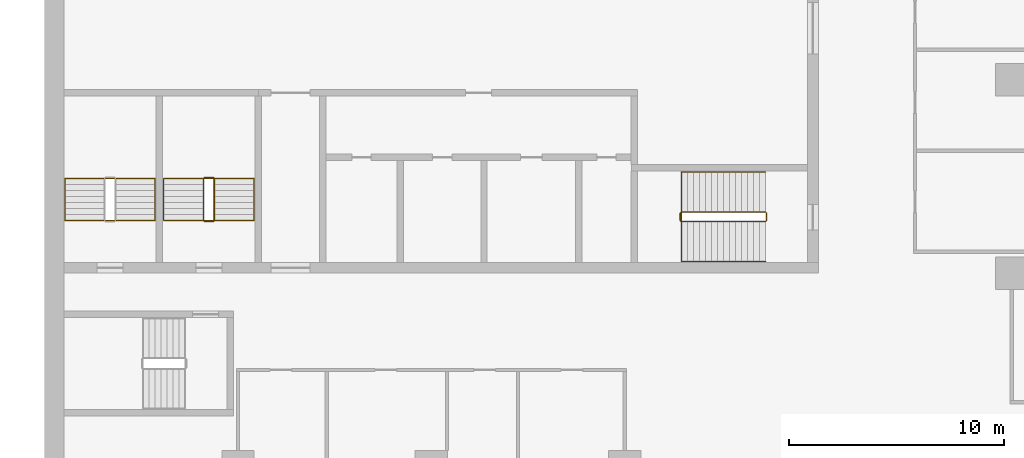
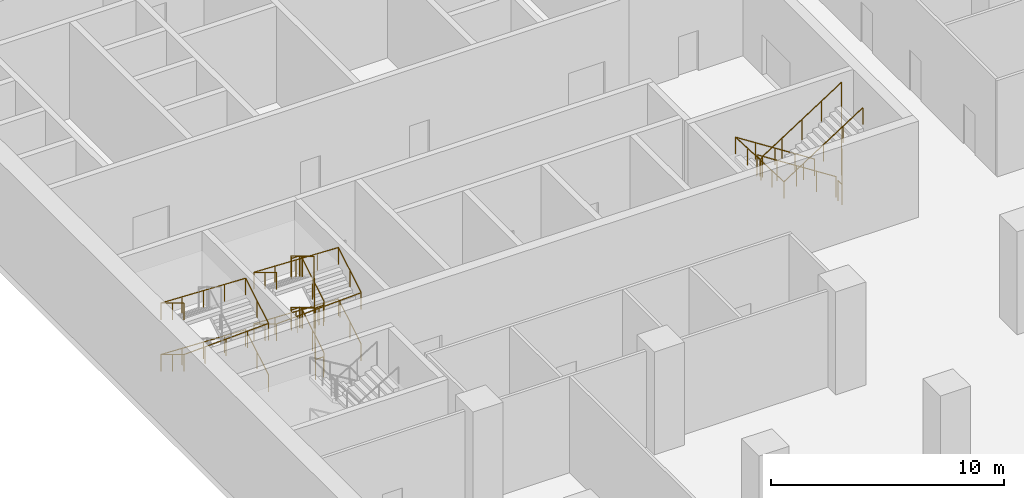
# One storey, part 34 of 44: 5 railings.
"""IFC4 building model written with IfcOpenShell, lengths in metres."""

from ifc_helpers import new_model, si_unit, direction, frame, origin, origin_2d, place, context, subcontext, project, spatial, circle, extrude, material, type_object, element, save


model = new_model("IFC4")

# Units and contexts
model_context = context("Model", 3, precision=1e-05, world=origin(), true_north=direction((0.0, 1.0)))
body_context = subcontext(model_context, "Body", "Model", "MODEL_VIEW")
ifc_project = project(units=[si_unit("LENGTHUNIT", "METRE"), si_unit("AREAUNIT", "SQUARE_METRE"), si_unit("VOLUMEUNIT", "CUBIC_METRE"), si_unit("PLANEANGLEUNIT", "RADIAN"), si_unit("MASSUNIT", "GRAM", prefix="KILO")], contexts=[model_context])

# Site, building, storey
site_placement = place(None, origin())
site = spatial("IfcSite", under=ifc_project, at=site_placement, CompositionType="ELEMENT")
building_placement = place(site_placement, origin())
building = spatial("IfcBuilding", under=site, at=building_placement, Name="Hunhe Ridgeline Campus", CompositionType="ELEMENT")
storey_placement = place(building_placement, frame((0.0, 0.0, 6.0)))
storey = spatial("IfcBuildingStorey", under=building, at=storey_placement, Name="L01", CompositionType="ELEMENT", Elevation=6.0)

# Railings
ifc_material_1 = material(Name="Stainless steel balustrade", Category="steel")
railing_type_1 = type_object("IfcRailingType", Name="Stair guard 1100 stainless", PredefinedType="GUARDRAIL", material=ifc_material_1)
railing_1_placement = place(storey_placement, frame((33.550048828125, 65.85009765625, 0.179931640625)))
element("IfcRailing", 1, at=railing_1_placement, inside=storey, type_object=railing_type_1, Name="L01 stair S2 guard", PredefinedType="GUARDRAIL", context=body_context, shape_type="SweptSolid", body=[
    extrude(circle(Radius=0.02392578125, at=origin_2d()), frame((0.0, 0.0, 1.076171875), z_axis=(-0.841186985886, 0.0, 0.540744352514), x_axis=(0.0, -1.0, 0.0)), (0.0, 0.0, 1.0), 4.660400390625),
    extrude(circle(Radius=0.02392578125, at=origin_2d()), frame((-3.920166015625, 0.0, 3.59619140625), z_axis=(-0.705375805398, -0.708833529934, 0.0), x_axis=(0.708833529934, -0.705375805398, 0.0)), (0.0, 0.0, 1.0), 0.070556640625),
    extrude(circle(Radius=0.02392578125, at=origin_2d()), frame((-3.969970703125, -0.050048828125, 3.59619140625), z_axis=(0.0, -1.0, 0.0), x_axis=(1.0, 0.0, 0.0)), (0.0, 0.0, 1.0), 0.35009765625),
    extrude(circle(Radius=0.02392578125, at=origin_2d()), frame((-3.969970703125, -0.400146484375, 3.59619140625), z_axis=(0.257669022063, -0.258932105505, 0.930892496375), x_axis=(0.708833529934, 0.705375805398, 0.0)), (0.0, 0.0, 1.0), 0.193359375),
    extrude(circle(Radius=0.02392578125, at=origin_2d()), frame((-3.920166015625, -0.4501953125, 3.77587890625), z_axis=(0.841186985886, 0.0, 0.540744352514), x_axis=(0.0, 1.0, 0.0)), (0.0, 0.0, 1.0), 4.660400390625),
    extrude(circle(Radius=0.02392578125, at=origin_2d()), frame((0.0, -0.4501953125, 6.2958984375), z_axis=(0.009267673019, 0.009267673019, -0.999914106548), x_axis=(1.0, 0.0, 0.0)), (0.0, 0.0, 1.0), 5.400390625),
    extrude(circle(Radius=0.02392578125, at=origin_2d()), frame((0.050048828125, -0.400146484375, 0.89599609375), z_axis=(0.0, 1.0, 0.0), x_axis=(-1.0, 0.0, 0.0)), (0.0, 0.0, 1.0), 0.35009765625),
    extrude(circle(Radius=0.02099609375, at=origin_2d()), origin(), (0.0, 0.0, 1.0), 1.052001953125),
    extrude(circle(Radius=0.02099609375, at=origin_2d()), frame((-0.97998046875, 0.0, 0.6298828125)), (0.0, 0.0, 1.0), 1.052001953125),
    extrude(circle(Radius=0.02099609375, at=origin_2d()), frame((-1.9599609375, 0.0, 1.260009765625)), (0.0, 0.0, 1.0), 1.052001953125),
    extrude(circle(Radius=0.02099609375, at=origin_2d()), frame((-2.940185546875, 0.0, 1.89013671875)), (0.0, 0.0, 1.0), 1.052001953125),
    extrude(circle(Radius=0.02099609375, at=origin_2d()), frame((-3.920166015625, 0.0, 2.52001953125)), (0.0, 0.0, 1.0), 1.052001953125),
    extrude(circle(Radius=0.02099609375, at=origin_2d()), frame((-3.969970703125, -0.050048828125, 2.52001953125)), (0.0, 0.0, 1.0), 1.052001953125),
    extrude(circle(Radius=0.02099609375, at=origin_2d()), frame((-3.969970703125, -0.400146484375, 2.52001953125)), (0.0, 0.0, 1.0), 1.052001953125),
    extrude(circle(Radius=0.02099609375, at=origin_2d()), frame((-3.920166015625, -0.4501953125, 2.699951171875)), (0.0, 0.0, 1.0), 1.052001953125),
    extrude(circle(Radius=0.02099609375, at=origin_2d()), frame((-2.940185546875, -0.4501953125, 3.330078125)), (0.0, 0.0, 1.0), 1.052001953125),
    extrude(circle(Radius=0.02099609375, at=origin_2d()), frame((-1.9599609375, -0.4501953125, 3.9599609375)), (0.0, 0.0, 1.0), 1.052001953125),
    extrude(circle(Radius=0.02099609375, at=origin_2d()), frame((-0.97998046875, -0.4501953125, 4.58984375)), (0.0, 0.0, 1.0), 1.052001953125),
    extrude(circle(Radius=0.02099609375, at=origin_2d()), frame((0.0, -0.4501953125, 5.219970703125)), (0.0, 0.0, 1.0), 1.052001953125),
    extrude(circle(Radius=0.02099609375, at=origin_2d()), frame((0.010009765625, -0.440185546875, 4.139892578125)), (0.0, 0.0, 1.0), 1.052001953125),
    extrude(circle(Radius=0.02099609375, at=origin_2d()), frame((0.02001953125, -0.43017578125, 3.06005859375)), (0.0, 0.0, 1.0), 1.052001953125),
    extrude(circle(Radius=0.02099609375, at=origin_2d()), frame((0.030029296875, -0.420166015625, 1.97998046875)), (0.0, 0.0, 1.0), 1.052001953125),
    extrude(circle(Radius=0.02099609375, at=origin_2d()), frame((0.0400390625, -0.41015625, 0.900146484375)), (0.0, 0.0, 1.0), 1.052001953125),
    extrude(circle(Radius=0.02099609375, at=origin_2d()), frame((0.050048828125, -0.400146484375, -0.179931640625)), (0.0, 0.0, 1.0), 1.052001953125),
    extrude(circle(Radius=0.02099609375, at=origin_2d()), frame((0.050048828125, -0.050048828125, -0.179931640625)), (0.0, 0.0, 1.0), 1.052001953125),
])
railing_2_placement = place(storey_placement, frame((7.89990234375, 65.449951171875, 0.168701171875)))
element("IfcRailing", 2, at=railing_2_placement, inside=storey, type_object=railing_type_1, Name="L01 stair S4 guard", PredefinedType="GUARDRAIL", context=body_context, shape_type="SweptSolid", body=[
    extrude(circle(Radius=0.02392578125, at=origin_2d()), frame((0.0, 0.0, 1.076171875), z_axis=(0.0, 0.856446297458, 0.516236127728), x_axis=(-1.0, 0.0, 0.0)), (0.0, 0.0, 1.0), 2.28857421875),
    extrude(circle(Radius=0.02392578125, at=origin_2d()), frame((0.0, 1.9599609375, 2.25732421875), z_axis=(-0.705375805398, 0.708833529934, 0.0), x_axis=(-0.708833529934, -0.705375805398, 0.0)), (0.0, 0.0, 1.0), 0.070556640625),
    extrude(circle(Radius=0.02392578125, at=origin_2d()), frame((-0.0498046875, 2.010009765625, 2.25732421875), z_axis=(-1.0, 0.0, 0.0), x_axis=(0.0, -1.0, 0.0)), (0.0, 0.0, 1.0), 0.400146484375),
    extrude(circle(Radius=0.02392578125, at=origin_2d()), frame((-0.449951171875, 2.010009765625, 2.25732421875), z_axis=(-0.273569069059, -0.273569069059, 0.922127935218), x_axis=(0.707106781187, -0.707106781187, 0.0)), (0.0, 0.0, 1.0), 0.182861328125),
    extrude(circle(Radius=0.02392578125, at=origin_2d()), frame((-0.5, 1.9599609375, 2.42626953125), z_axis=(0.0, -0.856493463811, 0.516157869696), x_axis=(1.0, 0.0, 0.0)), (0.0, 0.0, 1.0), 2.288330078125),
    extrude(circle(Radius=0.02392578125, at=origin_2d()), frame((-0.5, 0.0, 3.607421875), z_axis=(0.707106781187, -0.707106781187, 0.0), x_axis=(0.707106781187, 0.707106781187, 0.0)), (0.0, 0.0, 1.0), 0.07080078125),
    extrude(circle(Radius=0.02392578125, at=origin_2d()), frame((-0.449951171875, -0.050048828125, 3.607421875), z_axis=(1.0, 0.0, 0.0), x_axis=(0.0, 1.0, 0.0)), (0.0, 0.0, 1.0), 0.400146484375),
    extrude(circle(Radius=0.02392578125, at=origin_2d()), frame((-0.0498046875, -0.050048828125, 3.607421875), z_axis=(0.272333783174, 0.273668752699, 0.922463942026), x_axis=(-0.708833529934, 0.705375805398, 0.0)), (0.0, 0.0, 1.0), 0.182861328125),
    extrude(circle(Radius=0.02392578125, at=origin_2d()), frame((0.0, 0.0, 3.77587890625), z_axis=(0.0, 0.856446297458, 0.516236127728), x_axis=(-1.0, 0.0, 0.0)), (0.0, 0.0, 1.0), 2.28857421875),
    extrude(circle(Radius=0.02392578125, at=origin_2d()), frame((0.0, 1.9599609375, 4.95751953125), z_axis=(-0.705375805398, 0.708833529934, 0.0), x_axis=(-0.708833529934, -0.705375805398, 0.0)), (0.0, 0.0, 1.0), 0.070556640625),
    extrude(circle(Radius=0.02392578125, at=origin_2d()), frame((-0.0498046875, 2.010009765625, 4.95751953125), z_axis=(-1.0, 0.0, 0.0), x_axis=(0.0, -1.0, 0.0)), (0.0, 0.0, 1.0), 0.400146484375),
    extrude(circle(Radius=0.02392578125, at=origin_2d()), frame((-0.449951171875, 2.010009765625, 4.95751953125), z_axis=(-0.273569069059, -0.273569069059, 0.922127935218), x_axis=(0.707106781187, -0.707106781187, 0.0)), (0.0, 0.0, 1.0), 0.182861328125),
    extrude(circle(Radius=0.02392578125, at=origin_2d()), frame((-0.5, 1.9599609375, 5.1259765625), z_axis=(0.0, -0.856493463811, 0.516157869696), x_axis=(1.0, 0.0, 0.0)), (0.0, 0.0, 1.0), 2.288330078125),
    extrude(circle(Radius=0.02392578125, at=origin_2d()), frame((-0.5, 0.0, 6.30712890625), z_axis=(0.009267673019, -0.009267673019, -0.999914106548), x_axis=(1.0, 0.0, 0.0)), (0.0, 0.0, 1.0), 5.400390625),
    extrude(circle(Radius=0.02392578125, at=origin_2d()), frame((-0.449951171875, -0.050048828125, 0.9072265625), z_axis=(1.0, 0.0, 0.0), x_axis=(0.0, 1.0, 0.0)), (0.0, 0.0, 1.0), 0.400146484375),
    extrude(circle(Radius=0.02099609375, at=origin_2d()), origin(), (0.0, 0.0, 1.0), 1.052001953125),
    extrude(circle(Radius=0.02099609375, at=origin_2d()), frame((0.0, 0.97998046875, 0.5908203125)), (0.0, 0.0, 1.0), 1.052001953125),
    extrude(circle(Radius=0.02099609375, at=origin_2d()), frame((0.0, 1.9599609375, 1.181396484375)), (0.0, 0.0, 1.0), 1.052001953125),
    extrude(circle(Radius=0.02099609375, at=origin_2d()), frame((-0.0498046875, 2.010009765625, 1.181396484375)), (0.0, 0.0, 1.0), 1.052001953125),
    extrude(circle(Radius=0.02099609375, at=origin_2d()), frame((-0.449951171875, 2.010009765625, 1.181396484375)), (0.0, 0.0, 1.0), 1.052001953125),
    extrude(circle(Radius=0.02099609375, at=origin_2d()), frame((-0.5, 1.9599609375, 1.35009765625)), (0.0, 0.0, 1.0), 1.052001953125),
    extrude(circle(Radius=0.02099609375, at=origin_2d()), frame((-0.5, 0.97998046875, 1.940673828125)), (0.0, 0.0, 1.0), 1.052001953125),
    extrude(circle(Radius=0.02099609375, at=origin_2d()), frame((-0.5, 0.0, 2.53125)), (0.0, 0.0, 1.0), 1.052001953125),
    extrude(circle(Radius=0.02099609375, at=origin_2d()), frame((-0.449951171875, -0.050048828125, 2.53125)), (0.0, 0.0, 1.0), 1.052001953125),
    extrude(circle(Radius=0.02099609375, at=origin_2d()), frame((-0.0498046875, -0.050048828125, 2.53125)), (0.0, 0.0, 1.0), 1.052001953125),
    extrude(circle(Radius=0.02099609375, at=origin_2d()), frame((0.0, 0.0, 2.699951171875)), (0.0, 0.0, 1.0), 1.052001953125),
    extrude(circle(Radius=0.02099609375, at=origin_2d()), frame((0.0, 0.97998046875, 3.29052734375)), (0.0, 0.0, 1.0), 1.052001953125),
    extrude(circle(Radius=0.02099609375, at=origin_2d()), frame((0.0, 1.9599609375, 3.88134765625)), (0.0, 0.0, 1.0), 1.052001953125),
    extrude(circle(Radius=0.02099609375, at=origin_2d()), frame((-0.0498046875, 2.010009765625, 3.88134765625)), (0.0, 0.0, 1.0), 1.052001953125),
    extrude(circle(Radius=0.02099609375, at=origin_2d()), frame((-0.449951171875, 2.010009765625, 3.88134765625)), (0.0, 0.0, 1.0), 1.052001953125),
    extrude(circle(Radius=0.02099609375, at=origin_2d()), frame((-0.5, 1.9599609375, 4.050048828125)), (0.0, 0.0, 1.0), 1.052001953125),
    extrude(circle(Radius=0.02099609375, at=origin_2d()), frame((-0.5, 0.97998046875, 4.640625)), (0.0, 0.0, 1.0), 1.052001953125),
    extrude(circle(Radius=0.02099609375, at=origin_2d()), frame((-0.5, 0.0, 5.231201171875)), (0.0, 0.0, 1.0), 1.052001953125),
    extrude(circle(Radius=0.02099609375, at=origin_2d()), frame((-0.489990234375, -0.010009765625, 4.151123046875)), (0.0, 0.0, 1.0), 1.052001953125),
    extrude(circle(Radius=0.02099609375, at=origin_2d()), frame((-0.47998046875, -0.02001953125, 3.0712890625)), (0.0, 0.0, 1.0), 1.052001953125),
    extrude(circle(Radius=0.02099609375, at=origin_2d()), frame((-0.469970703125, -0.030029296875, 1.9912109375)), (0.0, 0.0, 1.0), 1.052001953125),
    extrude(circle(Radius=0.02099609375, at=origin_2d()), frame((-0.4599609375, -0.0400390625, 0.911376953125)), (0.0, 0.0, 1.0), 1.052001953125),
    extrude(circle(Radius=0.02099609375, at=origin_2d()), frame((-0.449951171875, -0.050048828125, -0.168701171875)), (0.0, 0.0, 1.0), 1.052001953125),
    extrude(circle(Radius=0.02099609375, at=origin_2d()), frame((-0.0498046875, -0.050048828125, -0.168701171875)), (0.0, 0.0, 1.0), 1.052001953125),
])
ifc_material_2 = material(Name="Stainless steel handrail", Category="steel")
railing_type_2 = type_object("IfcRailingType", Name="Stair handrail 900 stainless", PredefinedType="HANDRAIL", material=ifc_material_2)
railing_3_placement = place(storey_placement, frame((33.550048828125, 67.699951171875, 0.179931640625)))
element("IfcRailing", 3, at=railing_3_placement, inside=storey, type_object=railing_type_2, Name="L01 stair S2 handrail", PredefinedType="HANDRAIL", context=body_context, shape_type="SweptSolid", body=[
    extrude(circle(Radius=0.02392578125, at=origin_2d()), frame((0.0, 0.0, 0.8759765625), z_axis=(-0.841186985886, 0.0, 0.540744352514), x_axis=(0.0, -1.0, 0.0)), (0.0, 0.0, 1.0), 4.660400390625),
    extrude(circle(Radius=0.02392578125, at=origin_2d()), frame((-3.920166015625, 0.0, 3.39599609375), z_axis=(0.0, -0.999061363306, 0.043317344673), x_axis=(1.0, 0.0, 0.0)), (0.0, 0.0, 1.0), 4.15380859375),
    extrude(circle(Radius=0.02392578125, at=origin_2d()), frame((-3.920166015625, -4.14990234375, 3.57568359375), z_axis=(0.841186985886, 0.0, 0.540744352514), x_axis=(0.0, 1.0, 0.0)), (0.0, 0.0, 1.0), 4.660400390625),
    extrude(circle(Radius=0.02099609375, at=origin_2d()), origin(), (0.0, 0.0, 1.0), 0.851806640625),
    extrude(circle(Radius=0.02099609375, at=origin_2d()), frame((-0.97998046875, 0.0, 0.6298828125)), (0.0, 0.0, 1.0), 0.851806640625),
    extrude(circle(Radius=0.02099609375, at=origin_2d()), frame((-1.9599609375, 0.0, 1.260009765625)), (0.0, 0.0, 1.0), 0.851806640625),
    extrude(circle(Radius=0.02099609375, at=origin_2d()), frame((-2.940185546875, 0.0, 1.89013671875)), (0.0, 0.0, 1.0), 0.851806640625),
    extrude(circle(Radius=0.02099609375, at=origin_2d()), frame((-3.920166015625, 0.0, 2.52001953125)), (0.0, 0.0, 1.0), 0.851806640625),
    extrude(circle(Radius=0.02099609375, at=origin_2d()), frame((-3.920166015625, -1.03759765625, 2.56494140625)), (0.0, 0.0, 1.0), 0.851806640625),
    extrude(circle(Radius=0.02099609375, at=origin_2d()), frame((-3.920166015625, -2.074951171875, 2.60986328125)), (0.0, 0.0, 1.0), 0.851806640625),
    extrude(circle(Radius=0.02099609375, at=origin_2d()), frame((-3.920166015625, -3.1123046875, 2.655029296875)), (0.0, 0.0, 1.0), 0.851806640625),
    extrude(circle(Radius=0.02099609375, at=origin_2d()), frame((-3.920166015625, -4.14990234375, 2.699951171875)), (0.0, 0.0, 1.0), 0.851806640625),
    extrude(circle(Radius=0.02099609375, at=origin_2d()), frame((-2.940185546875, -4.14990234375, 3.330078125)), (0.0, 0.0, 1.0), 0.851806640625),
    extrude(circle(Radius=0.02099609375, at=origin_2d()), frame((-1.9599609375, -4.14990234375, 3.9599609375)), (0.0, 0.0, 1.0), 0.851806640625),
    extrude(circle(Radius=0.02099609375, at=origin_2d()), frame((-0.97998046875, -4.14990234375, 4.58984375)), (0.0, 0.0, 1.0), 0.851806640625),
    extrude(circle(Radius=0.02099609375, at=origin_2d()), frame((0.0, -4.14990234375, 5.219970703125)), (0.0, 0.0, 1.0), 0.851806640625),
])
railing_4_placement = place(storey_placement, frame((5.14990234375, 65.449951171875, 0.168701171875)))
element("IfcRailing", 4, at=railing_4_placement, inside=storey, type_object=railing_type_2, Name="L01 stair S3 handrail", PredefinedType="HANDRAIL", context=body_context, shape_type="SweptSolid", body=[
    extrude(circle(Radius=0.02392578125, at=origin_2d()), frame((0.0, 0.0, 0.8759765625), z_axis=(0.0, 0.856446297458, 0.516236127728), x_axis=(-1.0, 0.0, 0.0)), (0.0, 0.0, 1.0), 2.28857421875),
    extrude(circle(Radius=0.02392578125, at=origin_2d()), frame((0.0, 1.9599609375, 2.05712890625), z_axis=(-0.999194264342, 0.0, 0.040135048344), x_axis=(0.0, -1.0, 0.0)), (0.0, 0.0, 1.0), 4.203369140625),
    extrude(circle(Radius=0.02392578125, at=origin_2d()), frame((-4.199951171875, 1.9599609375, 2.22607421875), z_axis=(0.0, -0.856493463811, 0.516157869696), x_axis=(1.0, 0.0, 0.0)), (0.0, 0.0, 1.0), 2.288330078125),
    extrude(circle(Radius=0.02392578125, at=origin_2d()), frame((-4.199951171875, 0.0, 3.4072265625), z_axis=(0.999194264342, 0.0, 0.040135048344), x_axis=(0.0, 1.0, 0.0)), (0.0, 0.0, 1.0), 4.203369140625),
    extrude(circle(Radius=0.02392578125, at=origin_2d()), frame((0.0, 0.0, 3.57568359375), z_axis=(0.0, 0.856446297458, 0.516236127728), x_axis=(-1.0, 0.0, 0.0)), (0.0, 0.0, 1.0), 2.28857421875),
    extrude(circle(Radius=0.02392578125, at=origin_2d()), frame((0.0, 1.9599609375, 4.75732421875), z_axis=(-0.999194264342, 0.0, 0.040135048344), x_axis=(0.0, -1.0, 0.0)), (0.0, 0.0, 1.0), 4.203369140625),
    extrude(circle(Radius=0.02392578125, at=origin_2d()), frame((-4.199951171875, 1.9599609375, 4.92578125), z_axis=(0.0, -0.856493463811, 0.516157869696), x_axis=(1.0, 0.0, 0.0)), (0.0, 0.0, 1.0), 2.288330078125),
    extrude(circle(Radius=0.02099609375, at=origin_2d()), origin(), (0.0, 0.0, 1.0), 0.851806640625),
    extrude(circle(Radius=0.02099609375, at=origin_2d()), frame((0.0, 0.97998046875, 0.5908203125)), (0.0, 0.0, 1.0), 0.851806640625),
    extrude(circle(Radius=0.02099609375, at=origin_2d()), frame((0.0, 1.9599609375, 1.181396484375)), (0.0, 0.0, 1.0), 0.851806640625),
    extrude(circle(Radius=0.02099609375, at=origin_2d()), frame((-1.050048828125, 1.9599609375, 1.2236328125)), (0.0, 0.0, 1.0), 0.851806640625),
    extrude(circle(Radius=0.02099609375, at=origin_2d()), frame((-2.10009765625, 1.9599609375, 1.265625)), (0.0, 0.0, 1.0), 0.851806640625),
    extrude(circle(Radius=0.02099609375, at=origin_2d()), frame((-3.14990234375, 1.9599609375, 1.307861328125)), (0.0, 0.0, 1.0), 0.851806640625),
    extrude(circle(Radius=0.02099609375, at=origin_2d()), frame((-4.199951171875, 1.9599609375, 1.35009765625)), (0.0, 0.0, 1.0), 0.851806640625),
    extrude(circle(Radius=0.02099609375, at=origin_2d()), frame((-4.199951171875, 0.97998046875, 1.940673828125)), (0.0, 0.0, 1.0), 0.851806640625),
    extrude(circle(Radius=0.02099609375, at=origin_2d()), frame((-4.199951171875, 0.0, 2.53125)), (0.0, 0.0, 1.0), 0.851806640625),
    extrude(circle(Radius=0.02099609375, at=origin_2d()), frame((-3.14990234375, 0.0, 2.573486328125)), (0.0, 0.0, 1.0), 0.851806640625),
    extrude(circle(Radius=0.02099609375, at=origin_2d()), frame((-2.10009765625, 0.0, 2.61572265625)), (0.0, 0.0, 1.0), 0.851806640625),
    extrude(circle(Radius=0.02099609375, at=origin_2d()), frame((-1.050048828125, 0.0, 2.65771484375)), (0.0, 0.0, 1.0), 0.851806640625),
    extrude(circle(Radius=0.02099609375, at=origin_2d()), frame((0.0, 0.0, 2.699951171875)), (0.0, 0.0, 1.0), 0.851806640625),
    extrude(circle(Radius=0.02099609375, at=origin_2d()), frame((0.0, 0.97998046875, 3.29052734375)), (0.0, 0.0, 1.0), 0.851806640625),
    extrude(circle(Radius=0.02099609375, at=origin_2d()), frame((0.0, 1.9599609375, 3.88134765625)), (0.0, 0.0, 1.0), 0.851806640625),
    extrude(circle(Radius=0.02099609375, at=origin_2d()), frame((-1.050048828125, 1.9599609375, 3.923583984375)), (0.0, 0.0, 1.0), 0.851806640625),
    extrude(circle(Radius=0.02099609375, at=origin_2d()), frame((-2.10009765625, 1.9599609375, 3.9658203125)), (0.0, 0.0, 1.0), 0.851806640625),
    extrude(circle(Radius=0.02099609375, at=origin_2d()), frame((-3.14990234375, 1.9599609375, 4.0078125)), (0.0, 0.0, 1.0), 0.851806640625),
    extrude(circle(Radius=0.02099609375, at=origin_2d()), frame((-4.199951171875, 1.9599609375, 4.050048828125)), (0.0, 0.0, 1.0), 0.851806640625),
    extrude(circle(Radius=0.02099609375, at=origin_2d()), frame((-4.199951171875, 0.97998046875, 4.640625)), (0.0, 0.0, 1.0), 0.851806640625),
    extrude(circle(Radius=0.02099609375, at=origin_2d()), frame((-4.199951171875, 0.0, 5.231201171875)), (0.0, 0.0, 1.0), 0.851806640625),
])
railing_5_placement = place(storey_placement, frame((9.75, 65.449951171875, 0.168701171875)))
element("IfcRailing", 5, at=railing_5_placement, inside=storey, type_object=railing_type_2, Name="L01 stair S4 handrail", PredefinedType="HANDRAIL", context=body_context, shape_type="SweptSolid", body=[
    extrude(circle(Radius=0.02392578125, at=origin_2d()), frame((0.0, 0.0, 0.8759765625), z_axis=(0.0, 0.856446297458, 0.516236127728), x_axis=(-1.0, 0.0, 0.0)), (0.0, 0.0, 1.0), 2.28857421875),
    extrude(circle(Radius=0.02392578125, at=origin_2d()), frame((0.0, 1.9599609375, 2.05712890625), z_axis=(-0.999194264342, 0.0, 0.040135048344), x_axis=(0.0, -1.0, 0.0)), (0.0, 0.0, 1.0), 4.203369140625),
    extrude(circle(Radius=0.02392578125, at=origin_2d()), frame((-4.199951171875, 1.9599609375, 2.22607421875), z_axis=(0.0, -0.856493463811, 0.516157869696), x_axis=(1.0, 0.0, 0.0)), (0.0, 0.0, 1.0), 2.288330078125),
    extrude(circle(Radius=0.02392578125, at=origin_2d()), frame((-4.199951171875, 0.0, 3.4072265625), z_axis=(0.999194264342, 0.0, 0.040135048344), x_axis=(0.0, 1.0, 0.0)), (0.0, 0.0, 1.0), 4.203369140625),
    extrude(circle(Radius=0.02392578125, at=origin_2d()), frame((0.0, 0.0, 3.57568359375), z_axis=(0.0, 0.856446297458, 0.516236127728), x_axis=(-1.0, 0.0, 0.0)), (0.0, 0.0, 1.0), 2.28857421875),
    extrude(circle(Radius=0.02392578125, at=origin_2d()), frame((0.0, 1.9599609375, 4.75732421875), z_axis=(-0.999194264342, 0.0, 0.040135048344), x_axis=(0.0, -1.0, 0.0)), (0.0, 0.0, 1.0), 4.203369140625),
    extrude(circle(Radius=0.02392578125, at=origin_2d()), frame((-4.199951171875, 1.9599609375, 4.92578125), z_axis=(0.0, -0.856493463811, 0.516157869696), x_axis=(1.0, 0.0, 0.0)), (0.0, 0.0, 1.0), 2.288330078125),
    extrude(circle(Radius=0.02099609375, at=origin_2d()), origin(), (0.0, 0.0, 1.0), 0.851806640625),
    extrude(circle(Radius=0.02099609375, at=origin_2d()), frame((0.0, 0.97998046875, 0.5908203125)), (0.0, 0.0, 1.0), 0.851806640625),
    extrude(circle(Radius=0.02099609375, at=origin_2d()), frame((0.0, 1.9599609375, 1.181396484375)), (0.0, 0.0, 1.0), 0.851806640625),
    extrude(circle(Radius=0.02099609375, at=origin_2d()), frame((-1.050048828125, 1.9599609375, 1.2236328125)), (0.0, 0.0, 1.0), 0.851806640625),
    extrude(circle(Radius=0.02099609375, at=origin_2d()), frame((-2.10009765625, 1.9599609375, 1.265625)), (0.0, 0.0, 1.0), 0.851806640625),
    extrude(circle(Radius=0.02099609375, at=origin_2d()), frame((-3.14990234375, 1.9599609375, 1.307861328125)), (0.0, 0.0, 1.0), 0.851806640625),
    extrude(circle(Radius=0.02099609375, at=origin_2d()), frame((-4.199951171875, 1.9599609375, 1.35009765625)), (0.0, 0.0, 1.0), 0.851806640625),
    extrude(circle(Radius=0.02099609375, at=origin_2d()), frame((-4.199951171875, 0.97998046875, 1.940673828125)), (0.0, 0.0, 1.0), 0.851806640625),
    extrude(circle(Radius=0.02099609375, at=origin_2d()), frame((-4.199951171875, 0.0, 2.53125)), (0.0, 0.0, 1.0), 0.851806640625),
    extrude(circle(Radius=0.02099609375, at=origin_2d()), frame((-3.14990234375, 0.0, 2.573486328125)), (0.0, 0.0, 1.0), 0.851806640625),
    extrude(circle(Radius=0.02099609375, at=origin_2d()), frame((-2.10009765625, 0.0, 2.61572265625)), (0.0, 0.0, 1.0), 0.851806640625),
    extrude(circle(Radius=0.02099609375, at=origin_2d()), frame((-1.050048828125, 0.0, 2.65771484375)), (0.0, 0.0, 1.0), 0.851806640625),
    extrude(circle(Radius=0.02099609375, at=origin_2d()), frame((0.0, 0.0, 2.699951171875)), (0.0, 0.0, 1.0), 0.851806640625),
    extrude(circle(Radius=0.02099609375, at=origin_2d()), frame((0.0, 0.97998046875, 3.29052734375)), (0.0, 0.0, 1.0), 0.851806640625),
    extrude(circle(Radius=0.02099609375, at=origin_2d()), frame((0.0, 1.9599609375, 3.88134765625)), (0.0, 0.0, 1.0), 0.851806640625),
    extrude(circle(Radius=0.02099609375, at=origin_2d()), frame((-1.050048828125, 1.9599609375, 3.923583984375)), (0.0, 0.0, 1.0), 0.851806640625),
    extrude(circle(Radius=0.02099609375, at=origin_2d()), frame((-2.10009765625, 1.9599609375, 3.9658203125)), (0.0, 0.0, 1.0), 0.851806640625),
    extrude(circle(Radius=0.02099609375, at=origin_2d()), frame((-3.14990234375, 1.9599609375, 4.0078125)), (0.0, 0.0, 1.0), 0.851806640625),
    extrude(circle(Radius=0.02099609375, at=origin_2d()), frame((-4.199951171875, 1.9599609375, 4.050048828125)), (0.0, 0.0, 1.0), 0.851806640625),
    extrude(circle(Radius=0.02099609375, at=origin_2d()), frame((-4.199951171875, 0.97998046875, 4.640625)), (0.0, 0.0, 1.0), 0.851806640625),
    extrude(circle(Radius=0.02099609375, at=origin_2d()), frame((-4.199951171875, 0.0, 5.231201171875)), (0.0, 0.0, 1.0), 0.851806640625),
])

save(model, "model.ifc")
